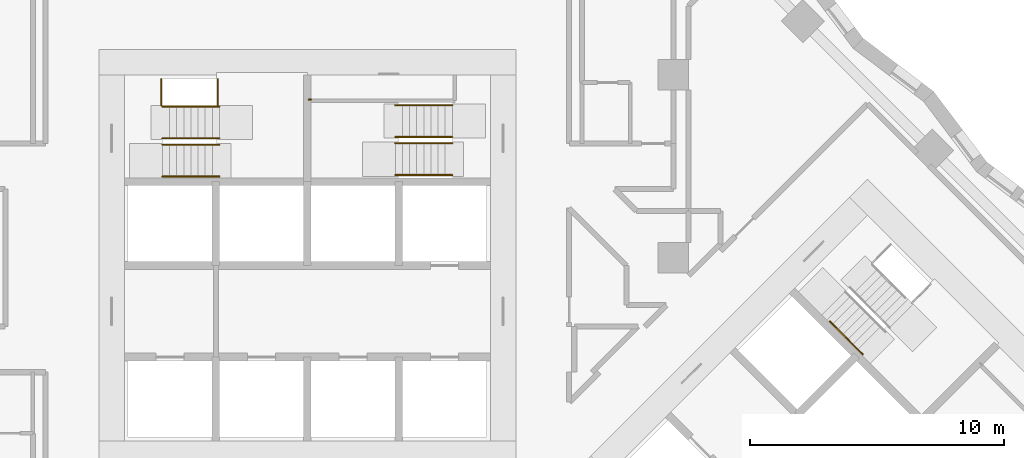
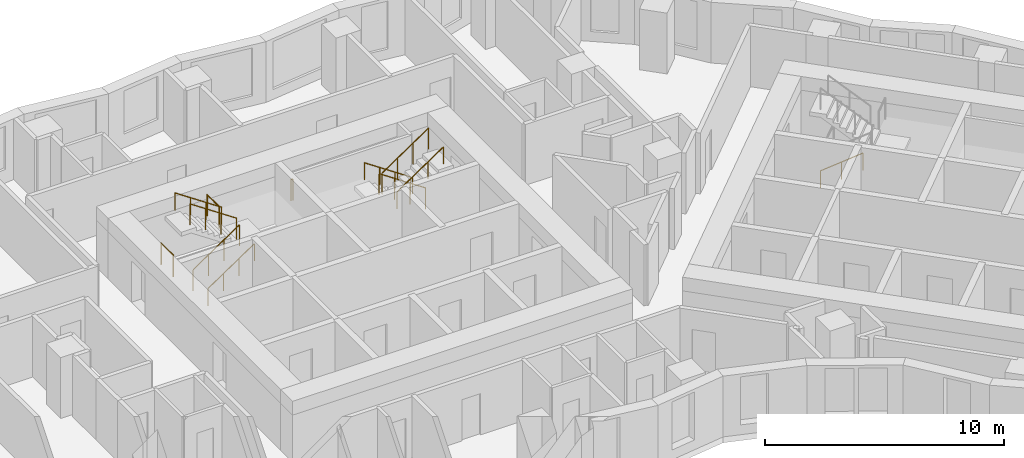
# One storey, part 11 of 12: 12 railings.
"""IFC4 building model written with IfcOpenShell, lengths in metres."""

from ifc_helpers import new_model, si_unit, direction, frame, origin, origin_2d, place, context, subcontext, project, spatial, circle, extrude, material, type_object, element, save


model = new_model("IFC4")

# Units and contexts
model_context = context("Model", 3, precision=1e-05, world=origin(), true_north=direction((0.0, 1.0)))
body_context = subcontext(model_context, "Body", "Model", "MODEL_VIEW")
ifc_project = project(units=[si_unit("LENGTHUNIT", "METRE"), si_unit("AREAUNIT", "SQUARE_METRE"), si_unit("VOLUMEUNIT", "CUBIC_METRE"), si_unit("PLANEANGLEUNIT", "RADIAN"), si_unit("MASSUNIT", "GRAM", prefix="KILO")], contexts=[model_context])

# Site, building, storey
site_placement = place(None, origin())
site = spatial("IfcSite", under=ifc_project, at=site_placement, CompositionType="ELEMENT")
building_placement = place(site_placement, origin())
building = spatial("IfcBuilding", under=site, at=building_placement, Name="Windrow Commons", CompositionType="ELEMENT")
storey_placement = place(building_placement, frame((0.0, 0.0, 47.4)))
storey = spatial("IfcBuildingStorey", under=building, at=storey_placement, Name="L12", CompositionType="ELEMENT", Elevation=47.4)

# Railings
ifc_material_1 = material(Name="Steel S355", Category="steel")
railing_type_1 = type_object("IfcRailingType", Name="Core stair guard 1100", PredefinedType="GUARDRAIL", material=ifc_material_1)
railing_1_placement = place(storey_placement, frame((59.1, 62.05, 0.1889)))
element("IfcRailing", 1, at=railing_1_placement, inside=storey, type_object=railing_type_1, Name="L12 ST-A1 stair guard 1", PredefinedType="GUARDRAIL", context=body_context, shape_type="SweptSolid", body=[
    extrude(circle(Radius=0.024, at=origin_2d()), frame((0.0, 0.0, 1.076), z_axis=(0.8290030985, 0.0, 0.5592440099), x_axis=(0.0, 1.0, 0.0)), (0.0, 0.0, 1.0), 2.702),
    extrude(circle(Radius=0.021, at=origin_2d()), origin(), (0.0, 0.0, 1.0), 1.052),
    extrude(circle(Radius=0.021, at=origin_2d()), frame((0.7467, 0.0, 0.5037)), (0.0, 0.0, 1.0), 1.052),
    extrude(circle(Radius=0.021, at=origin_2d()), frame((1.4933, 0.0, 1.0074)), (0.0, 0.0, 1.0), 1.052),
    extrude(circle(Radius=0.021, at=origin_2d()), frame((2.24, 0.0, 1.5111)), (0.0, 0.0, 1.0), 1.052),
])
railing_2_placement = place(storey_placement, frame((61.34, 62.3, 1.8889)))
element("IfcRailing", 2, at=railing_2_placement, inside=storey, type_object=railing_type_1, Name="L12 ST-A1 stair guard 2", PredefinedType="GUARDRAIL", context=body_context, shape_type="SweptSolid", body=[
    extrude(circle(Radius=0.024, at=origin_2d()), frame((0.0, 0.0, 1.076), z_axis=(-0.8290030985, 0.0, 0.5592440099), x_axis=(0.0, -1.0, 0.0)), (0.0, 0.0, 1.0), 2.702),
    extrude(circle(Radius=0.021, at=origin_2d()), origin(), (0.0, 0.0, 1.0), 1.052),
    extrude(circle(Radius=0.021, at=origin_2d()), frame((-0.7467, 0.0, 0.5037)), (0.0, 0.0, 1.0), 1.052),
    extrude(circle(Radius=0.021, at=origin_2d()), frame((-1.4933, 0.0, 1.0074)), (0.0, 0.0, 1.0), 1.052),
    extrude(circle(Radius=0.021, at=origin_2d()), frame((-2.24, 0.0, 1.5111)), (0.0, 0.0, 1.0), 1.052),
])
for number, where, name in (
    (3, (59.05, 63.6, 0.0), "L12 ST-A1 stair guard 3"),
    (4, (61.27, 63.6, 1.7), "L12 ST-A1 stair guard 4"),
):
    element("IfcRailing", number, at=place(storey_placement, frame(where)), inside=storey, type_object=railing_type_1, Name=name, PredefinedType="GUARDRAIL", context=body_context, shape_type="SweptSolid", body=[
        extrude(circle(Radius=0.024, at=origin_2d()), frame((0.0, 0.0, 1.076), z_axis=(0.0, 1.0, 0.0), x_axis=(-1.0, 0.0, 0.0)), (0.0, 0.0, 1.0), 1.03),
        extrude(circle(Radius=0.021, at=origin_2d()), origin(), (0.0, 0.0, 1.0), 1.052),
        extrude(circle(Radius=0.021, at=origin_2d()), frame((0.0, 1.03, 0.0)), (0.0, 0.0, 1.0), 1.052),
    ])
railing_3_placement = place(storey_placement, frame((70.5, 62.355, 0.1889)))
element("IfcRailing", 5, at=railing_3_placement, inside=storey, type_object=railing_type_1, Name="L12 ST-A2 stair guard 1", PredefinedType="GUARDRAIL", context=body_context, shape_type="SweptSolid", body=[
    extrude(circle(Radius=0.024, at=origin_2d()), frame((0.0, 0.0, 1.076), z_axis=(-0.8290030985, 0.0, 0.5592440099), x_axis=(0.0, -1.0, 0.0)), (0.0, 0.0, 1.0), 2.702),
    extrude(circle(Radius=0.021, at=origin_2d()), origin(), (0.0, 0.0, 1.0), 1.052),
    extrude(circle(Radius=0.021, at=origin_2d()), frame((-0.7467, 0.0, 0.5037)), (0.0, 0.0, 1.0), 1.052),
    extrude(circle(Radius=0.021, at=origin_2d()), frame((-1.4933, 0.0, 1.0074)), (0.0, 0.0, 1.0), 1.052),
    extrude(circle(Radius=0.021, at=origin_2d()), frame((-2.24, 0.0, 1.5111)), (0.0, 0.0, 1.0), 1.052),
])
railing_4_placement = place(storey_placement, frame((68.26, 62.105, 1.8889)))
element("IfcRailing", 6, at=railing_4_placement, inside=storey, type_object=railing_type_1, Name="L12 ST-A2 stair guard 2", PredefinedType="GUARDRAIL", context=body_context, shape_type="SweptSolid", body=[
    extrude(circle(Radius=0.024, at=origin_2d()), frame((0.0, 0.0, 1.076), z_axis=(0.8290030985, 0.0, 0.5592440099), x_axis=(0.0, 1.0, 0.0)), (0.0, 0.0, 1.0), 2.702),
    extrude(circle(Radius=0.021, at=origin_2d()), origin(), (0.0, 0.0, 1.0), 1.052),
    extrude(circle(Radius=0.021, at=origin_2d()), frame((0.7467, 0.0, 0.5037)), (0.0, 0.0, 1.0), 1.052),
    extrude(circle(Radius=0.021, at=origin_2d()), frame((1.4933, 0.0, 1.0074)), (0.0, 0.0, 1.0), 1.052),
    extrude(circle(Radius=0.021, at=origin_2d()), frame((2.24, 0.0, 1.5111)), (0.0, 0.0, 1.0), 1.052),
])
railing_5_placement = place(storey_placement, frame((64.95, 63.825, 1.7)))
element("IfcRailing", 7, at=railing_5_placement, inside=storey, type_object=railing_type_1, Name="L12 ST-A2 stair guard 3", PredefinedType="GUARDRAIL", context=body_context, shape_type="SweptSolid", body=[
    extrude(circle(Radius=0.024, at=origin_2d()), frame((0.0, 0.0, 1.076), z_axis=(-1.0, 0.0, 0.0), x_axis=(0.0, -1.0, 0.0)), (0.0, 0.0, 1.0), 0.1),
    extrude(circle(Radius=0.021, at=origin_2d()), origin(), (0.0, 0.0, 1.0), 1.052),
    extrude(circle(Radius=0.021, at=origin_2d()), frame((-0.1, 0.0, 0.0)), (0.0, 0.0, 1.0), 1.052),
])
ifc_material_2 = material(Name="Steel S355", Category="steel")
railing_type_2 = type_object("IfcRailingType", Name="Core stair handrail 900", PredefinedType="HANDRAIL", material=ifc_material_2)
railing_6_placement = place(storey_placement, frame((59.1, 60.8, 0.1889)))
element("IfcRailing", 8, at=railing_6_placement, inside=storey, type_object=railing_type_2, Name="L12 ST-A1 stair handrail 1", PredefinedType="HANDRAIL", context=body_context, shape_type="SweptSolid", body=[
    extrude(circle(Radius=0.024, at=origin_2d()), frame((0.0, 0.0, 0.876), z_axis=(0.8290030985, 0.0, 0.5592440099), x_axis=(0.0, 1.0, 0.0)), (0.0, 0.0, 1.0), 2.702),
    extrude(circle(Radius=0.021, at=origin_2d()), origin(), (0.0, 0.0, 1.0), 0.852),
    extrude(circle(Radius=0.021, at=origin_2d()), frame((0.7467, 0.0, 0.5037)), (0.0, 0.0, 1.0), 0.852),
    extrude(circle(Radius=0.021, at=origin_2d()), frame((1.4933, 0.0, 1.0074)), (0.0, 0.0, 1.0), 0.852),
    extrude(circle(Radius=0.021, at=origin_2d()), frame((2.24, 0.0, 1.5111)), (0.0, 0.0, 1.0), 0.852),
])
for number, where, name in (
    (9, (61.34, 63.55, 1.8889), "L12 ST-A1 stair handrail 2"),
    (10, (70.5, 63.605, 0.1889), "L12 ST-A2 stair handrail 1"),
):
    element("IfcRailing", number, at=place(storey_placement, frame(where)), inside=storey, type_object=railing_type_2, Name=name, PredefinedType="HANDRAIL", context=body_context, shape_type="SweptSolid", body=[
        extrude(circle(Radius=0.024, at=origin_2d()), frame((0.0, 0.0, 0.876), z_axis=(-0.8290030985, 0.0, 0.5592440099), x_axis=(0.0, -1.0, 0.0)), (0.0, 0.0, 1.0), 2.702),
        extrude(circle(Radius=0.021, at=origin_2d()), origin(), (0.0, 0.0, 1.0), 0.852),
        extrude(circle(Radius=0.021, at=origin_2d()), frame((-0.7467, 0.0, 0.5037)), (0.0, 0.0, 1.0), 0.852),
        extrude(circle(Radius=0.021, at=origin_2d()), frame((-1.4933, 0.0, 1.0074)), (0.0, 0.0, 1.0), 0.852),
        extrude(circle(Radius=0.021, at=origin_2d()), frame((-2.24, 0.0, 1.5111)), (0.0, 0.0, 1.0), 0.852),
    ])
railing_7_placement = place(storey_placement, frame((68.26, 60.855, 1.8889)))
element("IfcRailing", 11, at=railing_7_placement, inside=storey, type_object=railing_type_2, Name="L12 ST-A2 stair handrail 2", PredefinedType="HANDRAIL", context=body_context, shape_type="SweptSolid", body=[
    extrude(circle(Radius=0.024, at=origin_2d()), frame((0.0, 0.0, 0.876), z_axis=(0.8290030985, 0.0, 0.5592440099), x_axis=(0.0, 1.0, 0.0)), (0.0, 0.0, 1.0), 2.702),
    extrude(circle(Radius=0.021, at=origin_2d()), origin(), (0.0, 0.0, 1.0), 0.852),
    extrude(circle(Radius=0.021, at=origin_2d()), frame((0.7467, 0.0, 0.5037)), (0.0, 0.0, 1.0), 0.852),
    extrude(circle(Radius=0.021, at=origin_2d()), frame((1.4933, 0.0, 1.0074)), (0.0, 0.0, 1.0), 0.852),
    extrude(circle(Radius=0.021, at=origin_2d()), frame((2.24, 0.0, 1.5111)), (0.0, 0.0, 1.0), 0.852),
])
railing_8_placement = place(storey_placement, frame((85.3518, 55.1001, 0.4587)))
element("IfcRailing", 12, at=railing_8_placement, inside=storey, type_object=railing_type_2, Name="L12 ST-B1 stair handrail 1", PredefinedType="HANDRAIL", context=body_context, shape_type="SweptSolid", body=[
    extrude(circle(Radius=0.024, at=origin_2d()), frame((0.0, 0.0, 0.876), z_axis=(0.586206706, -0.5861616513, 0.5592639952), x_axis=(0.7070796062, 0.7071339551, 0.0)), (0.0, 0.0, 1.0), 2.2195),
    extrude(circle(Radius=0.021, at=origin_2d()), origin(), (0.0, 0.0, 1.0), 0.852),
    extrude(circle(Radius=0.021, at=origin_2d()), frame((0.6506, -0.6505, 0.6207)), (0.0, 0.0, 1.0), 0.852),
    extrude(circle(Radius=0.021, at=origin_2d()), frame((1.3011, -1.301, 1.2413)), (0.0, 0.0, 1.0), 0.852),
])

save(model, "model.ifc")
